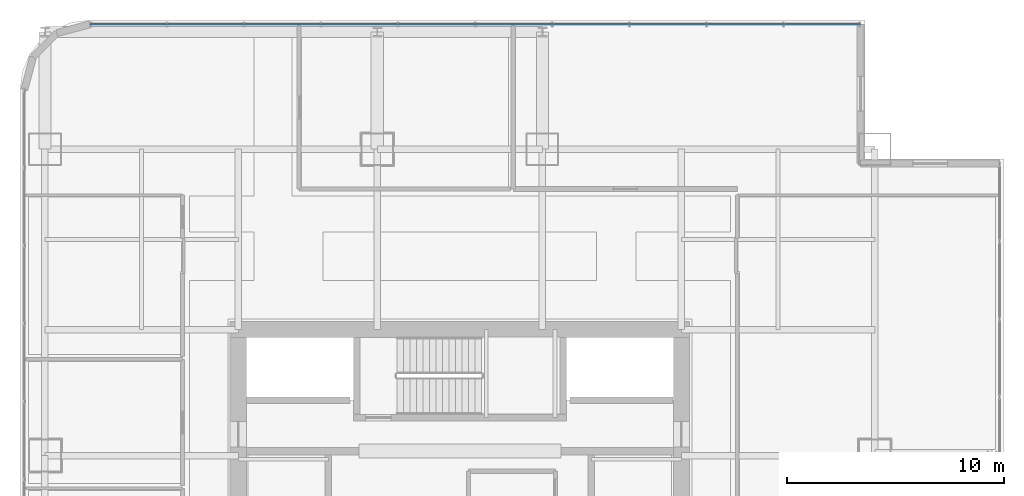
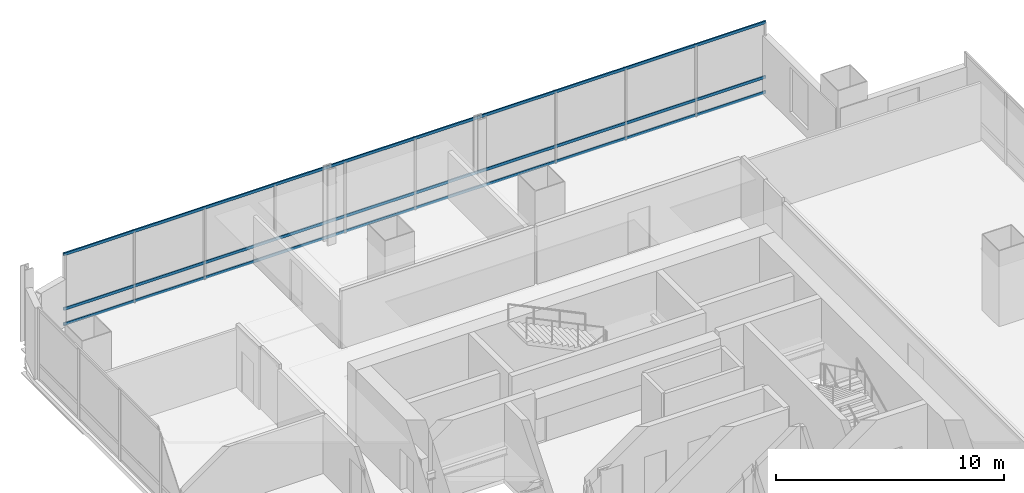
# One storey, part 23 of 34: 3 members, 1 element without a shape of its own.
"""IFC4 building model written with IfcOpenShell, lengths in metres."""

from ifc_helpers import new_model, si_unit, direction, frame, origin, origin_2d, place, context, subcontext, project, spatial, hollow_rectangle, extrude, material, material_profile, profile_set, type_object, element, aggregate, save


model = new_model("IFC4")

# Units and contexts
model_context = context("Model", 3, precision=1e-05, world=origin(), true_north=direction((0.0, 1.0)))
body_context = subcontext(model_context, "Body", "Model", "MODEL_VIEW")
ifc_project = project(units=[si_unit("LENGTHUNIT", "METRE"), si_unit("AREAUNIT", "SQUARE_METRE"), si_unit("VOLUMEUNIT", "CUBIC_METRE"), si_unit("PLANEANGLEUNIT", "RADIAN"), si_unit("MASSUNIT", "GRAM", prefix="KILO")], contexts=[model_context])

# Site, building, storey
site_placement = place(None, origin())
site = spatial("IfcSite", under=ifc_project, at=site_placement, CompositionType="ELEMENT")
building_placement = place(site_placement, origin())
building = spatial("IfcBuilding", under=site, at=building_placement, Name="Punatoya Terracotta Tower", CompositionType="ELEMENT")
storey_placement = place(building_placement, frame((0.0, 0.0, 117.300048828125)))
storey = spatial("IfcBuildingStorey", under=building, at=storey_placement, Name="L27", CompositionType="ELEMENT", Elevation=117.300048828125)

# Curtain wall, members
ifc_material_1 = material(Name="Aluminium 6063-T6 + Double Low-E Glass", Category="aluminium")
curtain_wall_type = type_object("IfcCurtainWallType", Name="CW-M1", PredefinedType="NOTDEFINED", material=ifc_material_1)
curtain_wall_placement = place(storey_placement, origin())
curtain_wall = element("IfcCurtainWall", 1, at=curtain_wall_placement, inside=storey, type_object=curtain_wall_type, Name="L27 Curtain Wall CW-L27-N08-1", PredefinedType="NOTDEFINED")
ifc_material_2 = material(Name="Aluminium 6063-T6", Category="aluminium")
ifc_material_profile = material_profile(ifc_material_2, hollow_rectangle(XDim=0.068115234375, YDim=0.14990234375, WallThickness=0.00390625, at=origin_2d()))
ifc_profile_set = profile_set([ifc_material_profile], Name="Aluminium 6063-T6")
member_type = type_object("IfcMemberType", Name="CW-TRN-TYP", PredefinedType="USERDEFINED", material=ifc_profile_set)
member_1_placement = place(storey_placement, frame((18.449951171875, 23.25, 0.0400390625), z_axis=(-1.0, 0.0, 0.0), x_axis=(0.0, -1.0, 0.0)))
member_1 = element("IfcMember", 2, at=member_1_placement, type_object=member_type, Name="CW-L27-N08-1 Transom 1", ObjectType="TRANSOM", PredefinedType="USERDEFINED", context=body_context, shape_type="SweptSolid", body=[
    extrude(hollow_rectangle(XDim=0.068115234375, YDim=0.14990234375, WallThickness=0.00390625, at=origin_2d()), origin(), (0.0, 0.0, 1.0), 35.48681640625),
])
member_2_placement = place(storey_placement, frame((18.449951171875, 23.25, 0.849853515625), z_axis=(-1.0, 0.0, 0.0), x_axis=(0.0, -1.0, 0.0)))
member_2 = element("IfcMember", 3, at=member_2_placement, type_object=member_type, Name="CW-L27-N08-1 Transom 2", ObjectType="TRANSOM", PredefinedType="USERDEFINED", context=body_context, shape_type="SweptSolid", body=[
    extrude(hollow_rectangle(XDim=0.068115234375, YDim=0.14990234375, WallThickness=0.00390625, at=origin_2d()), origin(), (0.0, 0.0, 1.0), 35.48681640625),
])
member_3_placement = place(storey_placement, frame((18.449951171875, 23.25, 3.77001953125), z_axis=(-1.0, 0.0, 0.0), x_axis=(0.0, -1.0, 0.0)))
member_3 = element("IfcMember", 4, at=member_3_placement, type_object=member_type, Name="CW-L27-N08-1 Transom 3", ObjectType="TRANSOM", PredefinedType="USERDEFINED", context=body_context, shape_type="SweptSolid", body=[
    extrude(hollow_rectangle(XDim=0.068115234375, YDim=0.14990234375, WallThickness=0.00390625, at=origin_2d()), origin(), (0.0, 0.0, 1.0), 35.48681640625),
])
aggregate(curtain_wall, [member_1, member_2, member_3])

save(model, "model.ifc")
